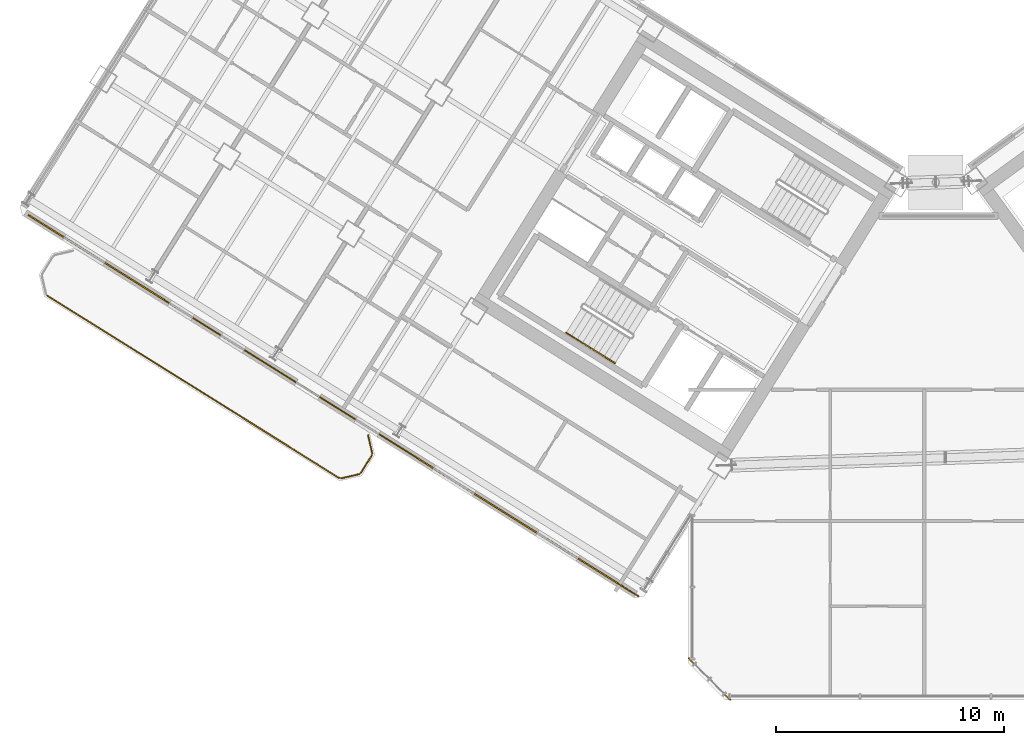
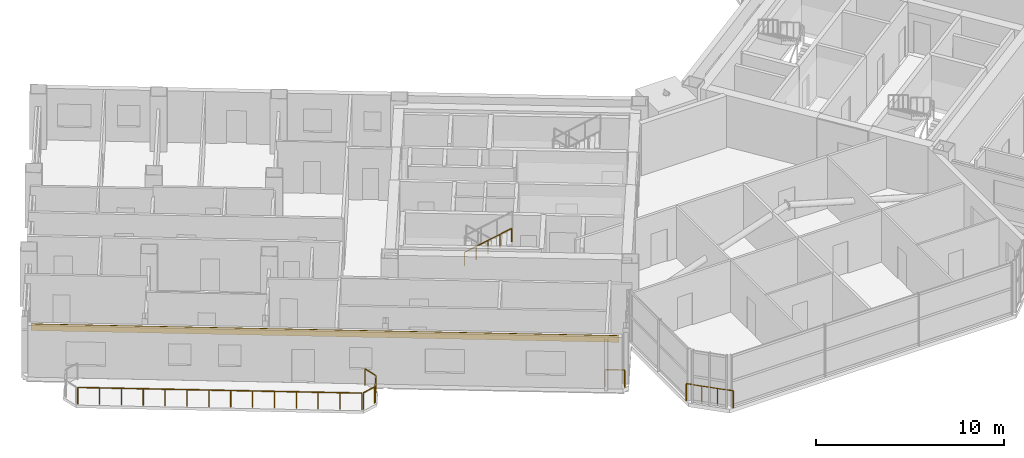
# One storey, part 22 of 29: 8 railings, 1 covering.
"""IFC4 building model written with IfcOpenShell, lengths in metres."""

import ifcopenshell
import ifcopenshell.guid

model = None  # the IFC model being written
_history = None  # IfcOwnerHistory: only IFC2X3 demands one
_inside = {}  # id of a spatial element -> (the spatial element, [elements in it])
_under = {}  # id of a project, library or spatial element -> (it, [spatial elements below it])
_declared = {}  # id of a project -> (the project, [libraries it declares])
_typed = {}  # id of a type object -> (the type object, [elements of that type])
_made_of = {}  # id of a material, layer set ... -> (it, [elements and type objects made of it])


def new_model(schema):
    """Start an empty IFC model of exactly this schema.

    Asked for "IFC4X3", IfcOpenShell would pick the latest addendum, in which some entities
    have other attributes; the version numbers below select the first issue.
    IFC2X3 requires an IfcOwnerHistory on every rooted entity: one is made here for all.
    """
    global model, _history
    if schema == "IFC4X3":
        model = ifcopenshell.file(schema_version=(4, 3, 0, 0))
    else:
        model = ifcopenshell.file(schema=schema)
    _inside.clear()
    _under.clear()
    _declared.clear()
    _typed.clear()
    _made_of.clear()
    _history = None
    if model.schema == "IFC2X3":
        org = make("IfcOrganization", Name="unknown")
        user = make(
            "IfcPersonAndOrganization",
            ThePerson=make("IfcPerson", FamilyName="unknown"),
            TheOrganization=org,
        )
        app = make(
            "IfcApplication",
            ApplicationDeveloper=org,
            Version="unknown",
            ApplicationFullName="unknown",
            ApplicationIdentifier="unknown",
        )
        _history = make(
            "IfcOwnerHistory",
            OwningUser=user,
            OwningApplication=app,
            ChangeAction="ADDED",
            CreationDate=0,
        )
    return model


def make(cls, **values):
    """One entity of the class cls with the attributes given. An attribute that is None is left unset."""
    return model.create_entity(
        cls, **{name: value for name, value in values.items() if value is not None}
    )


def rooted(cls, **values):
    """An entity with a GlobalId (a new one), such as an element, a storey or a relation."""
    return make(cls, GlobalId=ifcopenshell.guid.new(), OwnerHistory=_history, **values)


def si_unit(unit_type, name, prefix=None):
    """IfcSIUnit, for example si_unit("LENGTHUNIT", "METRE", prefix="MILLI")."""
    return make("IfcSIUnit", UnitType=unit_type, Prefix=prefix, Name=name)


def assignment(units):
    """IfcUnitAssignment: the units of a project."""
    return None if units is None else make("IfcUnitAssignment", Units=units)


def point(xyz):
    """IfcCartesianPoint."""
    return None if xyz is None else make("IfcCartesianPoint", Coordinates=xyz)


def direction(xyz):
    """IfcDirection."""
    return None if xyz is None else make("IfcDirection", DirectionRatios=xyz)


def frame(location, z_axis=None, x_axis=None):
    """IfcAxis2Placement3D, a coordinate frame: its origin and axes. An axis left out is left unset."""
    return make(
        "IfcAxis2Placement3D",
        Location=point(location),
        Axis=direction(z_axis),
        RefDirection=direction(x_axis),
    )


def frame_2d(location, x_axis=None):
    """IfcAxis2Placement2D, a coordinate frame in the plane: its origin and x axis."""
    return make(
        "IfcAxis2Placement2D", Location=point(location), RefDirection=direction(x_axis)
    )


def origin():
    """The frame at (0, 0, 0) with its axes left unset."""
    return frame((0.0, 0.0, 0.0))


def origin_2d():
    """The frame at (0, 0) in the plane with its x axis left unset."""
    return frame_2d((0.0, 0.0))


def place(relative_to, where):
    """IfcLocalPlacement: puts the frame where relative to a parent placement (None: the world)."""
    return make(
        "IfcLocalPlacement", PlacementRelTo=relative_to, RelativePlacement=where
    )


def context(
    kind, dimensions, precision=None, world=None, true_north=None, identifier=None
):
    """IfcGeometricRepresentationContext, for example the 3D "Model" context."""
    return make(
        "IfcGeometricRepresentationContext",
        ContextIdentifier=identifier,
        ContextType=kind,
        CoordinateSpaceDimension=dimensions,
        Precision=precision,
        WorldCoordinateSystem=world,
        TrueNorth=true_north,
    )


def subcontext(parent, identifier, kind, view, scale=None):
    """IfcGeometricRepresentationSubContext, for example "Body" below "Model"."""
    return make(
        "IfcGeometricRepresentationSubContext",
        ContextIdentifier=identifier,
        ContextType=kind,
        ParentContext=parent,
        TargetScale=scale,
        TargetView=view,
    )


def project(units=None, contexts=None):
    """IfcProject with its units and contexts."""
    return rooted(
        "IfcProject",
        Name="project",
        RepresentationContexts=contexts,
        UnitsInContext=assignment(units),
    )


def spatial(cls, under=None, at=None, **own):
    """A site, building, storey or space (cls), placed at a placement, below another one or the project."""
    s = rooted(cls, ObjectPlacement=at, **own)
    if under is not None:
        _under.setdefault(under.id(), (under, []))[1].append(s)
    return s


def profile(cls, at=None, kind="AREA", **sizes):
    """A parametric profile (cls). Its sizes go by their IFC names, for example OverallWidth=200.0."""
    return make(cls, ProfileType=kind, Position=at, **sizes)


def rectangle(**sizes):
    """IfcRectangleProfileDef."""
    return profile("IfcRectangleProfileDef", **sizes)


def extrude(swept, where, along, depth):
    """IfcExtrudedAreaSolid: the profile swept, set in the frame where, extruded along a direction by depth."""
    return make(
        "IfcExtrudedAreaSolid",
        SweptArea=swept,
        Position=where,
        ExtrudedDirection=direction(along),
        Depth=depth,
    )


def shape(context_of_items, identifier, shape_type, items):
    """IfcShapeRepresentation: the items that make up one representation, for example the "Body"."""
    return make(
        "IfcShapeRepresentation",
        ContextOfItems=context_of_items,
        RepresentationIdentifier=identifier,
        RepresentationType=shape_type,
        Items=items,
    )


def source(mapping_origin, context_of_items, identifier, shape_type, items):
    """IfcRepresentationMap: a shape defined once, which mapped items show again and again."""
    return make(
        "IfcRepresentationMap",
        MappingOrigin=mapping_origin,
        MappedRepresentation=shape(context_of_items, identifier, shape_type, items),
    )


def transform(
    local_origin,
    x_axis=None,
    y_axis=None,
    z_axis=None,
    scale=None,
    scale2=None,
    scale3=None,
    uniform=True,
):
    """IfcCartesianTransformationOperator3D, or its non-uniform kind. x_axis, y_axis, z_axis: its Axis1, 2, 3."""
    if uniform:
        return make(
            "IfcCartesianTransformationOperator3D",
            Axis1=direction(x_axis),
            Axis2=direction(y_axis),
            LocalOrigin=point(local_origin),
            Scale=scale,
            Axis3=direction(z_axis),
        )
    return make(
        "IfcCartesianTransformationOperator3DnonUniform",
        Axis1=direction(x_axis),
        Axis2=direction(y_axis),
        LocalOrigin=point(local_origin),
        Scale=scale,
        Axis3=direction(z_axis),
        Scale2=scale2,
        Scale3=scale3,
    )


def mapped(mapping_source, mapping_target):
    """IfcMappedItem: shows the shape of a source again, moved by a transform."""
    return make(
        "IfcMappedItem", MappingSource=mapping_source, MappingTarget=mapping_target
    )


def material(Name=None, Category=None):
    """IfcMaterial."""
    return make("IfcMaterial", Name=Name, Category=Category)


def layer(
    of_material, thickness, ventilated=None, Name=None, Category=None, Priority=None
):
    """IfcMaterialLayer: one layer of a wall or slab, of a material (None: an air gap)."""
    return make(
        "IfcMaterialLayer",
        Material=of_material,
        LayerThickness=thickness,
        IsVentilated=ventilated,
        Name=Name,
        Category=Category,
        Priority=Priority,
    )


def layer_set(layers, Name=None):
    """IfcMaterialLayerSet."""
    return make("IfcMaterialLayerSet", MaterialLayers=layers, LayerSetName=Name)


def made_of(thing, what):
    """Note that an element or type object is made of a material, layer set ...; save() writes the relation."""
    if what is not None:
        _made_of.setdefault(what.id(), (what, []))[1].append(thing)
    return thing


def type_object(cls, material=None, **own):
    """A type object (cls), such as IfcWallType, which elements share."""
    return made_of(rooted(cls, **own), material)


def element(
    cls,
    number,
    at=None,
    inside=None,
    cuts=None,
    type_object=None,
    material=None,
    context=None,
    identifier="Body",
    shape_type=None,
    held_by="IfcProductDefinitionShape",
    body=None,
    shapes=None,
    **own,
):
    """One element of the class cls, such as IfcWall. Its Tag is "e" and its number.

    at: its placement. inside: the storey or other place that contains it. cuts: it is an
    opening in that element (IfcRelVoidsElement). A single representation is given by context,
    identifier, shape_type and body (its items); several are given by shapes. held_by: the class
    of the entity that holds the representations. save() writes the other relations.
    """
    e = rooted(cls, Tag="e%d" % number, ObjectPlacement=at, **own)
    if body is not None:
        shapes = [shape(context, identifier, shape_type, body)]
    if shapes is not None:
        e.Representation = make(held_by, Representations=shapes)
    if inside is not None:
        _inside.setdefault(inside.id(), (inside, []))[1].append(e)
    if cuts is not None:
        rooted(
            "IfcRelVoidsElement", RelatingBuildingElement=cuts, RelatedOpeningElement=e
        )
    if type_object is not None:
        _typed.setdefault(type_object.id(), (type_object, []))[1].append(e)
    return made_of(e, material)


def aggregate(whole, parts):
    """IfcRelAggregates: a whole, such as a stair, and the parts it consists of."""
    return rooted("IfcRelAggregates", RelatingObject=whole, RelatedObjects=parts)


def save(model, path):
    """Write the relations noted so far, then the file.

    IfcRelAggregates (storeys below a building ...), IfcRelContainedInSpatialStructure (elements
    in a storey), IfcRelDefinesByType, IfcRelAssociatesMaterial and IfcRelDeclares: one each for
    every whole, place, type object, material and project.
    """
    for whole, parts in _under.values():
        aggregate(whole, parts)
    for where, things in _inside.values():
        rooted(
            "IfcRelContainedInSpatialStructure",
            RelatedElements=things,
            RelatingStructure=where,
        )
    for kind, things in _typed.values():
        rooted("IfcRelDefinesByType", RelatedObjects=things, RelatingType=kind)
    for what, things in _made_of.values():
        rooted("IfcRelAssociatesMaterial", RelatedObjects=things, RelatingMaterial=what)
    for by, libraries in _declared.values():
        rooted("IfcRelDeclares", RelatingContext=by, RelatedDefinitions=libraries)
    model.write(path)


model = new_model("IFC4")

# Units and contexts
model_context = context("Model", 3, precision=1e-05, world=origin(), true_north=direction((0.0, 1.0)))
body_context = subcontext(model_context, "Body", "Model", "MODEL_VIEW")
ifc_project = project(units=[si_unit("LENGTHUNIT", "METRE"), si_unit("AREAUNIT", "SQUARE_METRE"), si_unit("VOLUMEUNIT", "CUBIC_METRE"), si_unit("PLANEANGLEUNIT", "RADIAN"), si_unit("MASSUNIT", "GRAM", prefix="KILO")], contexts=[model_context])

# Site, building, storey
site_placement = place(None, origin())
site = spatial("IfcSite", under=ifc_project, at=site_placement, CompositionType="ELEMENT")
building_placement = place(site_placement, origin())
building = spatial("IfcBuilding", under=site, at=building_placement, Name="Tlacorven Tower", CompositionType="ELEMENT")
storey_placement = place(building_placement, frame((0.0, 0.0, 151.5)))
storey = spatial("IfcBuildingStorey", under=building, at=storey_placement, Name="L38", CompositionType="ELEMENT", Elevation=151.5)

# Railings
ifc_material_1 = material(Name="Aluminium and painted steel balustrade", Category="steel")
railing_type_1 = type_object("IfcRailingType", Name="RL-BAL-1100", PredefinedType="BALUSTRADE", material=ifc_material_1)
shared_shape_1 = source(origin(), body_context, "Body", "SweptSolid", [
    extrude(rectangle(XDim=0.048095703125, YDim=0.048095703125, at=origin_2d()), frame((0.0, 0.0, 1.076171875), z_axis=(0.225058334816, -0.974345290916, 0.0), x_axis=(0.974345290916, 0.225058334816, 0.0)), (0.0, 0.0, 1.0), 0.80712890625),
    extrude(rectangle(XDim=0.0419921875, YDim=0.0419921875, at=origin_2d()), origin(), (0.0, 0.0, 1.0), 1.052001953125),
    extrude(rectangle(XDim=0.0419921875, YDim=0.0419921875, at=origin_2d()), frame((0.181640625, -0.786376953125, 0.0)), (0.0, 0.0, 1.0), 1.052001953125),
])
railing_1_placement = place(storey_placement, frame((17.5244140625, 13.413330078125, 0.0)))
element("IfcRailing", 1, at=railing_1_placement, inside=storey, type_object=railing_type_1, Name="BAL-L38-W-OUT Guard Railing 1", PredefinedType="BALUSTRADE", context=body_context, shape_type="MappedRepresentation", body=[
    mapped(shared_shape_1, transform((0.0, 0.0, 0.0), scale=1.0)),
])
shared_shape_2 = source(origin(), body_context, "Body", "SweptSolid", [
    extrude(rectangle(XDim=0.048095703125, YDim=0.048095703125, at=origin_2d()), frame((0.0, 0.0, 1.076171875), z_axis=(-0.52987865805, -0.848073468364, 0.0), x_axis=(0.848073468364, -0.52987865805, 0.0)), (0.0, 0.0, 1.0), 0.912353515625),
    extrude(rectangle(XDim=0.0419921875, YDim=0.0419921875, at=origin_2d()), origin(), (0.0, 0.0, 1.0), 1.052001953125),
    extrude(rectangle(XDim=0.0419921875, YDim=0.0419921875, at=origin_2d()), frame((-0.4833984375, -0.773681640625, 0.0)), (0.0, 0.0, 1.0), 1.052001953125),
])
railing_2_placement = place(storey_placement, frame((17.690673828125, 12.535888671875, 0.0)))
element("IfcRailing", 2, at=railing_2_placement, inside=storey, type_object=railing_type_1, Name="BAL-L38-W-OUT Guard Railing 2", PredefinedType="BALUSTRADE", context=body_context, shape_type="MappedRepresentation", body=[
    mapped(shared_shape_2, transform((0.0, 0.0, 0.0), scale=1.0)),
])
shared_shape_3 = source(origin(), body_context, "Body", "SweptSolid", [
    extrude(rectangle(XDim=0.048095703125, YDim=0.048095703125, at=origin_2d()), frame((0.0, 0.0, 1.076171875), z_axis=(-0.974411586182, -0.224771129628, 0.0), x_axis=(0.224771129628, -0.974411586182, 0.0)), (0.0, 0.0, 1.0), 0.80712890625),
    extrude(rectangle(XDim=0.0419921875, YDim=0.0419921875, at=origin_2d()), origin(), (0.0, 0.0, 1.0), 1.052001953125),
    extrude(rectangle(XDim=0.0419921875, YDim=0.0419921875, at=origin_2d()), frame((-0.786376953125, -0.181396484375, 0.0)), (0.0, 0.0, 1.0), 1.052001953125),
])
railing_3_placement = place(storey_placement, frame((17.132080078125, 11.70849609375, 0.0)))
element("IfcRailing", 3, at=railing_3_placement, inside=storey, type_object=railing_type_1, Name="BAL-L38-W-OUT Guard Railing 3", PredefinedType="BALUSTRADE", context=body_context, shape_type="MappedRepresentation", body=[
    mapped(shared_shape_3, transform((0.0, 0.0, 0.0), scale=1.0)),
])
shared_shape_4 = source(origin(), body_context, "Body", "SweptSolid", [
    extrude(rectangle(XDim=0.048095703125, YDim=0.048095703125, at=origin_2d()), frame((0.0, 0.0, 1.076171875), z_axis=(-0.848044572804, 0.529924902733, 0.0), x_axis=(-0.529924902733, -0.848044572804, 0.0)), (0.0, 0.0, 1.0), 15.1171875),
    extrude(rectangle(XDim=0.0419921875, YDim=0.0419921875, at=origin_2d()), origin(), (0.0, 0.0, 1.0), 1.052001953125),
    extrude(rectangle(XDim=0.0419921875, YDim=0.0419921875, at=origin_2d()), frame((-0.986083984375, 0.6162109375, 0.0)), (0.0, 0.0, 1.0), 1.052001953125),
    extrude(rectangle(XDim=0.0419921875, YDim=0.0419921875, at=origin_2d()), frame((-1.972412109375, 1.232421875, 0.0)), (0.0, 0.0, 1.0), 1.052001953125),
    extrude(rectangle(XDim=0.0419921875, YDim=0.0419921875, at=origin_2d()), frame((-2.95849609375, 1.8486328125, 0.0)), (0.0, 0.0, 1.0), 1.052001953125),
    extrude(rectangle(XDim=0.0419921875, YDim=0.0419921875, at=origin_2d()), frame((-3.944580078125, 2.46484375, 0.0)), (0.0, 0.0, 1.0), 1.052001953125),
    extrude(rectangle(XDim=0.0419921875, YDim=0.0419921875, at=origin_2d()), frame((-4.930908203125, 3.0810546875, 0.0)), (0.0, 0.0, 1.0), 1.052001953125),
    extrude(rectangle(XDim=0.0419921875, YDim=0.0419921875, at=origin_2d()), frame((-5.9169921875, 3.697265625, 0.0)), (0.0, 0.0, 1.0), 1.052001953125),
    extrude(rectangle(XDim=0.0419921875, YDim=0.0419921875, at=origin_2d()), frame((-6.903076171875, 4.313720703125, 0.0)), (0.0, 0.0, 1.0), 1.052001953125),
    extrude(rectangle(XDim=0.0419921875, YDim=0.0419921875, at=origin_2d()), frame((-7.88916015625, 4.929931640625, 0.0)), (0.0, 0.0, 1.0), 1.052001953125),
    extrude(rectangle(XDim=0.0419921875, YDim=0.0419921875, at=origin_2d()), frame((-8.87548828125, 5.546142578125, 0.0)), (0.0, 0.0, 1.0), 1.052001953125),
    extrude(rectangle(XDim=0.0419921875, YDim=0.0419921875, at=origin_2d()), frame((-9.861572265625, 6.162353515625, 0.0)), (0.0, 0.0, 1.0), 1.052001953125),
    extrude(rectangle(XDim=0.0419921875, YDim=0.0419921875, at=origin_2d()), frame((-10.84765625, 6.778564453125, 0.0)), (0.0, 0.0, 1.0), 1.052001953125),
    extrude(rectangle(XDim=0.0419921875, YDim=0.0419921875, at=origin_2d()), frame((-11.833984375, 7.394775390625, 0.0)), (0.0, 0.0, 1.0), 1.052001953125),
    extrude(rectangle(XDim=0.0419921875, YDim=0.0419921875, at=origin_2d()), frame((-12.820068359375, 8.010986328125, 0.0)), (0.0, 0.0, 1.0), 1.052001953125),
])
railing_4_placement = place(storey_placement, frame((16.254638671875, 11.542236328125, 0.0)))
element("IfcRailing", 4, at=railing_4_placement, inside=storey, type_object=railing_type_1, Name="BAL-L38-W-OUT Guard Railing 4", PredefinedType="BALUSTRADE", context=body_context, shape_type="MappedRepresentation", body=[
    mapped(shared_shape_4, transform((0.0, 0.0, 0.0), scale=1.0)),
])
railing_type_2 = type_object("IfcRailingType", Name="RL-GRD-1150", PredefinedType="GUARDRAIL", material=ifc_material_1)
shared_shape_5 = source(origin(), body_context, "Body", "SweptSolid", [
    extrude(rectangle(XDim=0.048095703125, YDim=0.048095703125, at=origin_2d()), frame((0.0, 0.0, 1.1259765625), z_axis=(-0.707106781187, 0.707106781187, 0.0), x_axis=(-0.707106781187, -0.707106781187, 0.0)), (0.0, 0.0, 1.0), 2.590087890625),
    extrude(rectangle(XDim=0.0419921875, YDim=0.0419921875, at=origin_2d()), origin(), (0.0, 0.0, 1.0), 1.101806640625),
    extrude(rectangle(XDim=0.0419921875, YDim=0.0419921875, at=origin_2d()), frame((-0.610595703125, 0.610595703125, 0.0)), (0.0, 0.0, 1.0), 1.101806640625),
    extrude(rectangle(XDim=0.0419921875, YDim=0.0419921875, at=origin_2d()), frame((-1.220947265625, 1.220947265625, 0.0)), (0.0, 0.0, 1.0), 1.101806640625),
    extrude(rectangle(XDim=0.0419921875, YDim=0.0419921875, at=origin_2d()), frame((-1.83154296875, 1.83154296875, 0.0)), (0.0, 0.0, 1.0), 1.101806640625),
])
railing_5_placement = place(storey_placement, frame((33.428955078125, 1.79736328125, 0.0)))
element("IfcRailing", 5, at=railing_5_placement, inside=storey, type_object=railing_type_2, Name="L38 Knuckle Glazed Sill Guard 1", PredefinedType="GUARDRAIL", context=body_context, shape_type="MappedRepresentation", body=[
    mapped(shared_shape_5, transform((0.0, 0.0, 0.0), scale=1.0)),
])
shared_shape_6 = source(origin(), body_context, "Body", "SweptSolid", [
    extrude(rectangle(XDim=0.048095703125, YDim=0.048095703125, at=origin_2d()), frame((0.0, 0.0, 1.1259765625), z_axis=(-0.848102774857, 0.529831749973, 0.0), x_axis=(-0.529831749973, -0.848102774857, 0.0)), (0.0, 0.0, 1.0), 1.050048828125),
    extrude(rectangle(XDim=0.0419921875, YDim=0.0419921875, at=origin_2d()), origin(), (0.0, 0.0, 1.0), 1.101806640625),
    extrude(rectangle(XDim=0.0419921875, YDim=0.0419921875, at=origin_2d()), frame((-0.890625, 0.556396484375, 0.0)), (0.0, 0.0, 1.0), 1.101806640625),
])
railing_6_placement = place(storey_placement, frame((29.39501953125, 6.35009765625, 0.0)))
element("IfcRailing", 6, at=railing_6_placement, inside=storey, type_object=railing_type_2, Name="L38 Knuckle Glazed Sill Guard 2", PredefinedType="GUARDRAIL", context=body_context, shape_type="MappedRepresentation", body=[
    mapped(shared_shape_6, transform((0.0, 0.0, 0.0), scale=1.0)),
])

# Covering
ifc_material_2 = material(Name="Precast concrete C45/55", Category="concrete")
ifc_layer = layer(ifc_material_2, 0.06005859375)
ifc_layer_set = layer_set([ifc_layer], Name="Precast concrete C45/55")
covering_type = type_object("IfcCoveringType", Name="CV-CLD-TERC", PredefinedType="CLADDING", material=ifc_layer_set)
shared_shape_7 = source(origin(), body_context, "Body", "SweptSolid", [
    extrude(rectangle(XDim=31.287353515625, YDim=0.06005859375, at=origin_2d()), origin(), (0.0, 0.0, 1.0), 0.419921875),
])
covering_placement = place(storey_placement, frame((15.8740234375, 14.798828125, 2.929931640625), z_axis=(0.0, 0.0, 1.0), x_axis=(-0.84804812172, 0.529919223323, 0.0)))
element("IfcCovering", 7, at=covering_placement, inside=storey, type_object=covering_type, Name="L38 Masonry-Frame Spandrel Cladding 1", PredefinedType="CLADDING", context=body_context, shape_type="MappedRepresentation", body=[
    mapped(shared_shape_7, transform((0.0, 0.0, 0.0), scale=1.0)),
])

# Railings
railing_type_3 = type_object("IfcRailingType", Name="RL-HND-0900", PredefinedType="HANDRAIL", material=ifc_material_1)
shared_shape_8 = source(origin(), body_context, "Body", "SweptSolid", [
    extrude(rectangle(XDim=0.048095703125, YDim=0.048095703125, at=origin_2d()), frame((0.0, 0.0, 0.8759765625), z_axis=(0.713359751793, -0.4457479829, 0.540764828981), x_axis=(0.529911857636, 0.848052724267, 0.0)), (0.0, 0.0, 1.0), 1.498046875),
    extrude(rectangle(XDim=0.0419921875, YDim=0.0419921875, at=origin_2d()), origin(), (0.0, 0.0, 1.0), 0.851806640625),
    extrude(rectangle(XDim=0.0419921875, YDim=0.0419921875, at=origin_2d()), frame((0.5341796875, -0.333984375, 0.405029296875)), (0.0, 0.0, 1.0), 0.851806640625),
    extrude(rectangle(XDim=0.0419921875, YDim=0.0419921875, at=origin_2d()), frame((1.068603515625, -0.667724609375, 0.81005859375)), (0.0, 0.0, 1.0), 0.851806640625),
])
railing_7_placement = place(storey_placement, frame((26.228759765625, 17.915283203125, 1.97998046875)))
element("IfcRailing", 8, at=railing_7_placement, inside=storey, type_object=railing_type_3, Name="L38 ST-W1 stair handrail 3", PredefinedType="HANDRAIL", context=body_context, shape_type="MappedRepresentation", body=[
    mapped(shared_shape_8, transform((0.0, 0.0, 0.0), scale=1.0)),
])
shared_shape_9 = source(origin(), body_context, "Body", "SweptSolid", [
    extrude(rectangle(XDim=0.048095703125, YDim=0.048095703125, at=origin_2d()), frame((0.0, 0.0, 0.8759765625), z_axis=(0.713279695859, -0.445799809912, 0.540827703579), x_axis=(0.529998940003, 0.847998304005, 0.0)), (0.0, 0.0, 1.0), 1.497802734375),
    extrude(rectangle(XDim=0.0419921875, YDim=0.0419921875, at=origin_2d()), origin(), (0.0, 0.0, 1.0), 0.851806640625),
    extrude(rectangle(XDim=0.0419921875, YDim=0.0419921875, at=origin_2d()), frame((0.5341796875, -0.333984375, 0.405029296875)), (0.0, 0.0, 1.0), 0.851806640625),
    extrude(rectangle(XDim=0.0419921875, YDim=0.0419921875, at=origin_2d()), frame((1.068359375, -0.667724609375, 0.81005859375)), (0.0, 0.0, 1.0), 0.851806640625),
])
railing_8_placement = place(storey_placement, frame((27.29736328125, 17.24755859375, 2.7900390625)))
element("IfcRailing", 9, at=railing_8_placement, inside=storey, type_object=railing_type_3, Name="L38 ST-W1 stair handrail 4", PredefinedType="HANDRAIL", context=body_context, shape_type="MappedRepresentation", body=[
    mapped(shared_shape_9, transform((0.0, 0.0, 0.0), scale=1.0)),
])

save(model, "model.ifc")
